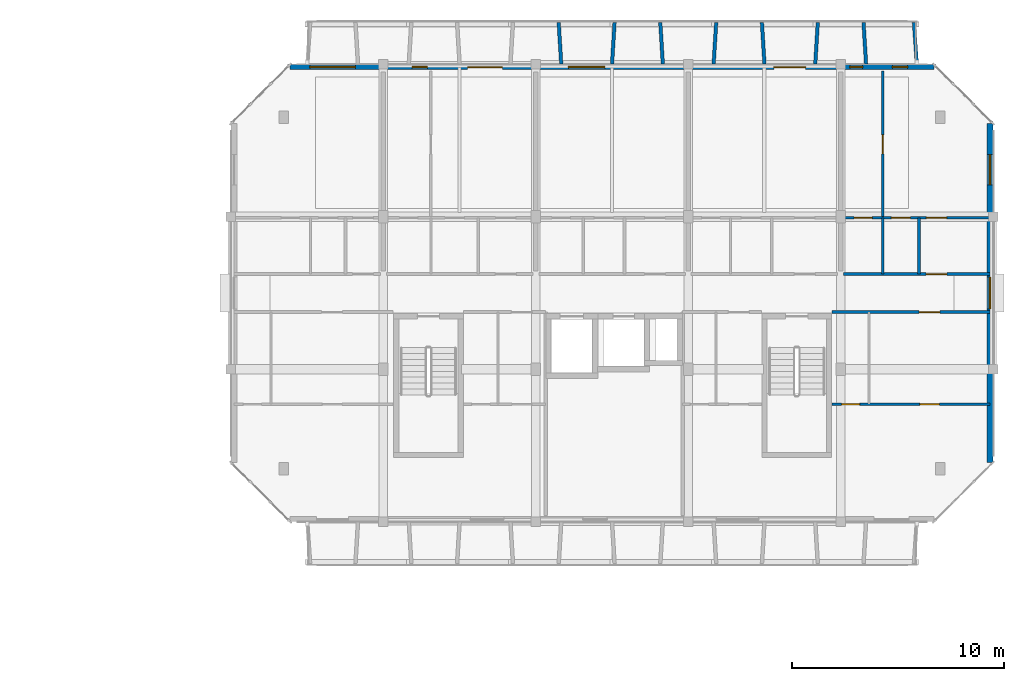
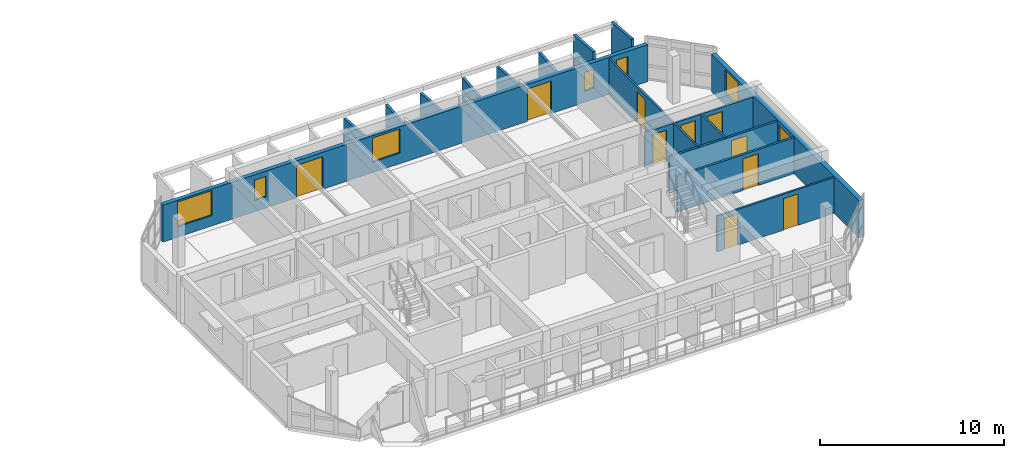
# One storey, part 22 of 31: 17 walls, 10 doors, 7 windows, 17 openings.
"""IFC4 building model written with IfcOpenShell, lengths in metres."""

from ifc_helpers import new_model, si_unit, direction, frame, frame_2d, origin, place, context, subcontext, project, spatial, rectangle, extrude, material, layer, layer_set, type_object, element, fill, save


model = new_model("IFC4")

# Units and contexts
model_context = context("Model", 3, precision=1e-05, world=origin(), true_north=direction((0.0, 1.0)))
body_context = subcontext(model_context, "Body", "Model", "MODEL_VIEW")
ifc_project = project(units=[si_unit("LENGTHUNIT", "METRE"), si_unit("AREAUNIT", "SQUARE_METRE"), si_unit("VOLUMEUNIT", "CUBIC_METRE"), si_unit("PLANEANGLEUNIT", "RADIAN"), si_unit("MASSUNIT", "GRAM", prefix="KILO")], contexts=[model_context])

# Site, building, storey
site_placement = place(None, origin())
site = spatial("IfcSite", under=ifc_project, at=site_placement, CompositionType="ELEMENT")
building_placement = place(site_placement, origin())
building = spatial("IfcBuilding", under=site, at=building_placement, Name="Ochrevale Crest", CompositionType="ELEMENT")
storey_placement = place(building_placement, frame((0.0, 0.0, 37.050048828125)))
storey = spatial("IfcBuildingStorey", under=building, at=storey_placement, Name="L11", CompositionType="ELEMENT", Elevation=37.050048828125)

# Wall, opening, door
ifc_material_1 = material(Name="Gypsum plasterboard", Category="gypsum")
ifc_layer_1 = layer(ifc_material_1, 0.139892578125)
ifc_layer_set_1 = layer_set([ifc_layer_1], Name="Gypsum plasterboard")
wall_type_1 = type_object("IfcWallType", Name="WL-COR-140", PredefinedType="PARTITIONING", material=ifc_layer_set_1)
wall_1_placement = place(storey_placement, frame((158.5400390625, 83.699951171875, 0.0), z_axis=(0.0, 0.0, 1.0), x_axis=(1.0, 0.0, 0.0)))
wall_1 = element("IfcWall", 1, at=wall_1_placement, inside=storey, type_object=wall_type_1, Name="Apartment D-L11-U5 corridor wall", PredefinedType="PARTITIONING", context=body_context, shape_type="SweptSolid", body=[
    extrude(rectangle(XDim=6.919921875, YDim=0.139892578125, at=frame_2d((3.4599609375, 0.0))), origin(), (0.0, 0.0, 1.0), 2.3798828125),
])
opening_1_placement = place(wall_1_placement, frame((4.875, 0.0, 0.0), z_axis=(0.0, 0.0, 1.0), x_axis=(-1.0, 0.0, 0.0)))
opening_1 = element("IfcOpeningElement", 2, at=opening_1_placement, cuts=wall_1, Name="Opening FD01", PredefinedType="OPENING", context=body_context, shape_type="SweptSolid", body=[
    extrude(rectangle(XDim=0.97998046875, YDim=2.10009765625, at=frame_2d((0.489990234375, 1.050048828125))), frame((0.0, 0.080078125, 0.0), z_axis=(0.0, -1.0, 0.0), x_axis=(1.0, 0.0, 0.0)), (0.0, 0.0, 1.0), 0.159912109375),
])
ifc_material_2 = material(Name="Solid-core FSC hardwood", Category="wood")
door_type_1 = type_object("IfcDoorType", Name="DR-APT-950", OperationType="NOTDEFINED", PredefinedType="DOOR", material=ifc_material_2)
door_1_placement = place(opening_1_placement, origin())
door_1 = element("IfcDoor", 3, at=door_1_placement, inside=storey, type_object=door_type_1, Name="Apartment D-L11-U5 entrance door", OperationType="SINGLE_SWING_RIGHT", OverallHeight=2.10009765625, OverallWidth=0.97998046875, PredefinedType="DOOR", context=body_context, shape_type="SweptSolid", body=[
    extrude(rectangle(XDim=0.97998046875, YDim=2.10009765625, at=frame_2d((0.489990234375, 1.050048828125))), frame((0.0, 0.02490234375, 0.0), z_axis=(0.0, -1.0, 0.0), x_axis=(1.0, 0.0, 0.0)), (0.0, 0.0, 1.0), 0.050048828125),
])
fill(opening_1, door_1)

wall_2_placement = place(storey_placement, frame((157.989990234375, 81.89990234375, 0.0), z_axis=(0.0, 0.0, 1.0), x_axis=(1.0, 0.0, 0.0)))
wall_2 = element("IfcWall", 4, at=wall_2_placement, inside=storey, type_object=wall_type_1, Name="Suite D-L11-CE corridor wall", PredefinedType="PARTITIONING", context=body_context, shape_type="SweptSolid", body=[
    extrude(rectangle(XDim=7.469970703125, YDim=0.139892578125, at=frame_2d((3.73486328125, 0.0))), origin(), (0.0, 0.0, 1.0), 2.3798828125),
])
opening_2_placement = place(wall_2_placement, frame((5.10009765625, 0.0, 0.0), z_axis=(0.0, 0.0, 1.0), x_axis=(-1.0, 0.0, 0.0)))
opening_2 = element("IfcOpeningElement", 5, at=opening_2_placement, cuts=wall_2, Name="Opening FD01", PredefinedType="OPENING", context=body_context, shape_type="SweptSolid", body=[
    extrude(rectangle(XDim=0.97998046875, YDim=2.10009765625, at=frame_2d((0.489990234375, 1.050048828125))), frame((0.0, 0.080078125, 0.0), z_axis=(0.0, -1.0, 0.0), x_axis=(1.0, 0.0, 0.0)), (0.0, 0.0, 1.0), 0.159912109375),
])
door_2_placement = place(opening_2_placement, origin())
door_2 = element("IfcDoor", 6, at=door_2_placement, inside=storey, type_object=door_type_1, Name="Suite D-L11-CE entrance door", OperationType="SINGLE_SWING_RIGHT", OverallHeight=2.10009765625, OverallWidth=0.97998046875, PredefinedType="DOOR", context=body_context, shape_type="SweptSolid", body=[
    extrude(rectangle(XDim=0.97998046875, YDim=2.10009765625, at=frame_2d((0.489990234375, 1.050048828125))), frame((0.0, 0.02490234375, 0.0), z_axis=(0.0, -1.0, 0.0), x_axis=(1.0, 0.0, 0.0)), (0.0, 0.0, 1.0), 0.050048828125),
])
fill(opening_2, door_2)

# Wall, openings, windows
ifc_material_3 = material(Name="Clay face brickwork", Category="masonry")
ifc_layer_2 = layer(ifc_material_3, 0.2900390625)
ifc_layer_set_2 = layer_set([ifc_layer_2], Name="Clay face brickwork")
wall_type_2 = type_object("IfcWallType", Name="WL-EXT-BRICK-290", PredefinedType="SOLIDWALL", material=ifc_layer_set_2)
wall_3_placement = place(storey_placement, frame((165.455078125, 74.800048828125, 0.0), z_axis=(0.0, 0.0, 1.0), x_axis=(0.0, 1.0, 0.0)))
wall_3 = element("IfcWall", 7, at=wall_3_placement, inside=storey, type_object=wall_type_2, Name="Block D L11 external facade wall E3", PredefinedType="SOLIDWALL", context=body_context, shape_type="SweptSolid", body=[
    extrude(rectangle(XDim=16.0, YDim=0.2900390625, at=frame_2d((8.0, 0.0))), origin(), (0.0, 0.0, 1.0), 2.47998046875),
])
opening_3_placement = place(wall_3_placement, frame((7.25, 0.0, 1.050048828125)))
opening_3 = element("IfcOpeningElement", 8, at=opening_3_placement, cuts=wall_3, Name="Opening W18", PredefinedType="OPENING", context=body_context, shape_type="SweptSolid", body=[
    extrude(rectangle(XDim=1.5, YDim=1.14990234375, at=frame_2d((0.75, 0.574951171875))), frame((0.0, 0.155029296875, 0.0), z_axis=(0.0, -1.0, 0.0), x_axis=(1.0, 0.0, 0.0)), (0.0, 0.0, 1.0), 0.31005859375),
])
opening_4_placement = place(wall_3_placement, frame((13.117431640625, 0.0, 0.75)))
opening_4 = element("IfcOpeningElement", 9, at=opening_4_placement, cuts=wall_3, Name="Opening W31", PredefinedType="OPENING", context=body_context, shape_type="SweptSolid", body=[
    extrude(rectangle(XDim=1.419921875, YDim=1.60009765625, at=frame_2d((0.7099609375, 0.800048828125))), frame((0.0, 0.155029296875, 0.0), z_axis=(0.0, -1.0, 0.0), x_axis=(1.0, 0.0, 0.0)), (0.0, 0.0, 1.0), 0.31005859375),
])
ifc_material_4 = material(Name="Anodised aluminium 6063-T5 and low-E double glazing", Category="aluminium")
window_type_1 = type_object("IfcWindowType", Name="WIN-W18", PartitioningType="SINGLE_PANEL", PredefinedType="WINDOW", material=ifc_material_4)
window_1_placement = place(opening_3_placement, origin())
window_1 = element("IfcWindow", 10, at=window_1_placement, inside=storey, type_object=window_type_1, Name="Block D L11 corridor end daylight window E", OverallHeight=1.14990234375, OverallWidth=1.5, PartitioningType="SINGLE_PANEL", PredefinedType="WINDOW", context=body_context, shape_type="SweptSolid", body=[
    extrude(rectangle(XDim=1.5, YDim=1.14990234375, at=frame_2d((0.75, 0.574951171875))), frame((0.0, 0.030029296875, 0.0), z_axis=(0.0, -1.0, 0.0), x_axis=(1.0, 0.0, 0.0)), (0.0, 0.0, 1.0), 0.06005859375),
])
fill(opening_3, window_1)
window_type_2 = type_object("IfcWindowType", Name="WIN-W31", PartitioningType="SINGLE_PANEL", PredefinedType="WINDOW", material=ifc_material_4)
window_2_placement = place(opening_4_placement, origin())
window_2 = element("IfcWindow", 11, at=window_2_placement, inside=storey, type_object=window_type_2, Name="Block D L11 side suite window E", OverallHeight=1.60009765625, OverallWidth=1.419921875, PartitioningType="SINGLE_PANEL", PredefinedType="WINDOW", context=body_context, shape_type="SweptSolid", body=[
    extrude(rectangle(XDim=1.419921875, YDim=1.60009765625, at=frame_2d((0.7099609375, 0.800048828125))), frame((0.0, 0.030029296875, 0.0), z_axis=(0.0, -1.0, 0.0), x_axis=(1.0, 0.0, 0.0)), (0.0, 0.0, 1.0), 0.06005859375),
])
fill(opening_4, window_2)

# Wall, openings, doors, windows
ifc_material_5 = material(Name="Precast concrete C40/50", Category="concrete")
ifc_layer_3 = layer(ifc_material_5, 0.25)
ifc_layer_set_3 = layer_set([ifc_layer_3], Name="Precast concrete C40/50")
wall_type_3 = type_object("IfcWallType", Name="WL-EXT-GOLD-250", PredefinedType="SOLIDWALL", material=ifc_layer_set_3)
wall_4_placement = place(storey_placement, frame((162.800048828125, 93.47509765625, 0.0), z_axis=(0.0, 0.0, 1.0), x_axis=(-1.0, 0.0, 0.0)))
wall_4 = element("IfcWall", 12, at=wall_4_placement, inside=storey, type_object=wall_type_3, Name="Block D L11 external facade wall E5", PredefinedType="SOLIDWALL", context=body_context, shape_type="SweptSolid", body=[
    extrude(rectangle(XDim=30.400146484375, YDim=0.25, at=frame_2d((15.2001953125, 0.0))), origin(), (0.0, 0.0, 1.0), 2.449951171875),
])
opening_5_placement = place(wall_4_placement, frame((22.02490234375, 0.0, 0.0), z_axis=(0.0, 0.0, 1.0), x_axis=(-1.0, 0.0, 0.0)))
opening_5 = element("IfcOpeningElement", 13, at=opening_5_placement, cuts=wall_4, Name="Opening BD02", PredefinedType="OPENING", context=body_context, shape_type="SweptSolid", body=[
    extrude(rectangle(XDim=1.64990234375, YDim=2.14990234375, at=frame_2d((0.824951171875, 1.074951171875))), frame((0.0, 0.135009765625, 0.0), z_axis=(0.0, -1.0, 0.0), x_axis=(1.0, 0.0, 0.0)), (0.0, 0.0, 1.0), 0.27001953125),
])
opening_6_placement = place(wall_4_placement, frame((7.550048828125, 0.0, 0.0), z_axis=(0.0, 0.0, 1.0), x_axis=(-1.0, 0.0, 0.0)))
opening_6 = element("IfcOpeningElement", 14, at=opening_6_placement, cuts=wall_4, Name="Opening BD01", PredefinedType="OPENING", context=body_context, shape_type="SweptSolid", body=[
    extrude(rectangle(XDim=1.5, YDim=2.14990234375, at=frame_2d((0.75, 1.074951171875))), frame((0.0, 0.135009765625, 0.0), z_axis=(0.0, -1.0, 0.0), x_axis=(1.0, 0.0, 0.0)), (0.0, 0.0, 1.0), 0.27001953125),
])
opening_7_placement = place(wall_4_placement, frame((27.324951171875, 0.0, 0.68994140625)))
opening_7 = element("IfcOpeningElement", 15, at=opening_7_placement, cuts=wall_4, Name="Opening W13", PredefinedType="OPENING", context=body_context, shape_type="SweptSolid", body=[
    extrude(rectangle(XDim=2.14990234375, YDim=1.64990234375, at=frame_2d((1.074951171875, 0.824951171875))), frame((0.0, 0.135009765625, 0.0), z_axis=(0.0, -1.0, 0.0), x_axis=(1.0, 0.0, 0.0)), (0.0, 0.0, 1.0), 0.27001953125),
])
opening_8_placement = place(wall_4_placement, frame((23.925048828125, 0.0, 0.75)))
opening_8 = element("IfcOpeningElement", 16, at=opening_8_placement, cuts=wall_4, Name="Opening W02", PredefinedType="OPENING", context=body_context, shape_type="SweptSolid", body=[
    extrude(rectangle(XDim=0.719970703125, YDim=1.35009765625, at=frame_2d((0.35986328125, 0.675048828125))), frame((0.0, 0.135009765625, 0.0), z_axis=(0.0, -1.0, 0.0), x_axis=(1.0, 0.0, 0.0)), (0.0, 0.0, 1.0), 0.27001953125),
])
opening_9_placement = place(wall_4_placement, frame((15.5400390625, 0.0, 0.699951171875)))
opening_9 = element("IfcOpeningElement", 17, at=opening_9_placement, cuts=wall_4, Name="Opening W10", PredefinedType="OPENING", context=body_context, shape_type="SweptSolid", body=[
    extrude(rectangle(XDim=1.719970703125, YDim=1.60009765625, at=frame_2d((0.85986328125, 0.800048828125))), frame((0.0, 0.135009765625, 0.0), z_axis=(0.0, -1.0, 0.0), x_axis=(1.0, 0.0, 0.0)), (0.0, 0.0, 1.0), 0.27001953125),
])
opening_10_placement = place(wall_4_placement, frame((3.367431640625, 0.0, 0.75)))
opening_10 = element("IfcOpeningElement", 18, at=opening_10_placement, cuts=wall_4, Name="Opening W01", PredefinedType="OPENING", context=body_context, shape_type="SweptSolid", body=[
    extrude(rectangle(XDim=0.60009765625, YDim=1.25, at=frame_2d((0.300048828125, 0.625))), frame((0.0, 0.135009765625, 0.0), z_axis=(0.0, -1.0, 0.0), x_axis=(1.0, 0.0, 0.0)), (0.0, 0.0, 1.0), 0.27001953125),
])
opening_11_placement = place(wall_4_placement, frame((1.239990234375, 0.0, 0.75)))
opening_11 = element("IfcOpeningElement", 19, at=opening_11_placement, cuts=wall_4, Name="Opening W02", PredefinedType="OPENING", context=body_context, shape_type="SweptSolid", body=[
    extrude(rectangle(XDim=0.719970703125, YDim=1.35009765625, at=frame_2d((0.35986328125, 0.675048828125))), frame((0.0, 0.135009765625, 0.0), z_axis=(0.0, -1.0, 0.0), x_axis=(1.0, 0.0, 0.0)), (0.0, 0.0, 1.0), 0.27001953125),
])
ifc_material_6 = material(Name="Anodised aluminium 6063-T5 and toughened glass", Category="aluminium")
door_type_2 = type_object("IfcDoorType", Name="DR-BAL-1500", OperationType="NOTDEFINED", PredefinedType="DOOR", material=ifc_material_6)
door_3_placement = place(opening_6_placement, origin())
door_3 = element("IfcDoor", 20, at=door_3_placement, inside=storey, type_object=door_type_2, Name="Block D L11 balcony door N4", OperationType="SINGLE_SWING_RIGHT", OverallHeight=2.14990234375, OverallWidth=1.5, PredefinedType="DOOR", context=body_context, shape_type="SweptSolid", body=[
    extrude(rectangle(XDim=1.5, YDim=2.14990234375, at=frame_2d((0.75, 1.074951171875))), frame((0.0, 0.02490234375, 0.0), z_axis=(0.0, -1.0, 0.0), x_axis=(1.0, 0.0, 0.0)), (0.0, 0.0, 1.0), 0.050048828125),
])
fill(opening_6, door_3)
door_type_3 = type_object("IfcDoorType", Name="DR-BAL-1650", OperationType="NOTDEFINED", PredefinedType="DOOR", material=ifc_material_6)
door_4_placement = place(opening_5_placement, origin())
door_4 = element("IfcDoor", 21, at=door_4_placement, inside=storey, type_object=door_type_3, Name="Block D L11 balcony door N2", OperationType="SINGLE_SWING_LEFT", OverallHeight=2.14990234375, OverallWidth=1.64990234375, PredefinedType="DOOR", context=body_context, shape_type="SweptSolid", body=[
    extrude(rectangle(XDim=1.64990234375, YDim=2.14990234375, at=frame_2d((0.824951171875, 1.074951171875))), frame((0.0, 0.02490234375, 0.0), z_axis=(0.0, -1.0, 0.0), x_axis=(1.0, 0.0, 0.0)), (0.0, 0.0, 1.0), 0.050048828125),
])
fill(opening_5, door_4)
window_type_3 = type_object("IfcWindowType", Name="WIN-W01", PartitioningType="SINGLE_PANEL", PredefinedType="WINDOW", material=ifc_material_4)
window_3_placement = place(opening_10_placement, origin())
window_3 = element("IfcWindow", 22, at=window_3_placement, inside=storey, type_object=window_type_3, Name="Block D L11 Apartment D-L11-U5 Double Bedroom window", OverallHeight=1.25, OverallWidth=0.60009765625, PartitioningType="SINGLE_PANEL", PredefinedType="WINDOW", context=body_context, shape_type="SweptSolid", body=[
    extrude(rectangle(XDim=0.60009765625, YDim=1.25, at=frame_2d((0.300048828125, 0.625))), frame((0.0, 0.030029296875, 0.0), z_axis=(0.0, -1.0, 0.0), x_axis=(1.0, 0.0, 0.0)), (0.0, 0.0, 1.0), 0.06005859375),
])
fill(opening_10, window_3)
window_type_4 = type_object("IfcWindowType", Name="WIN-W02", PartitioningType="SINGLE_PANEL", PredefinedType="WINDOW", material=ifc_material_4)
window_4_placement = place(opening_8_placement, origin())
window_4 = element("IfcWindow", 23, at=window_4_placement, inside=storey, type_object=window_type_4, Name="Block D L11 Apartment D-L11-U2 Master Bedroom window", OverallHeight=1.35009765625, OverallWidth=0.719970703125, PartitioningType="SINGLE_PANEL", PredefinedType="WINDOW", context=body_context, shape_type="SweptSolid", body=[
    extrude(rectangle(XDim=0.719970703125, YDim=1.35009765625, at=frame_2d((0.35986328125, 0.675048828125))), frame((0.0, 0.030029296875, 0.0), z_axis=(0.0, -1.0, 0.0), x_axis=(1.0, 0.0, 0.0)), (0.0, 0.0, 1.0), 0.06005859375),
])
fill(opening_8, window_4)
window_5_placement = place(opening_11_placement, origin())
window_5 = element("IfcWindow", 24, at=window_5_placement, inside=storey, type_object=window_type_4, Name="Block D L11 Apartment D-L11-U5 Two Bedroom Living Room window", OverallHeight=1.35009765625, OverallWidth=0.719970703125, PartitioningType="SINGLE_PANEL", PredefinedType="WINDOW", context=body_context, shape_type="SweptSolid", body=[
    extrude(rectangle(XDim=0.719970703125, YDim=1.35009765625, at=frame_2d((0.35986328125, 0.675048828125))), frame((0.0, 0.030029296875, 0.0), z_axis=(0.0, -1.0, 0.0), x_axis=(1.0, 0.0, 0.0)), (0.0, 0.0, 1.0), 0.06005859375),
])
fill(opening_11, window_5)
window_type_5 = type_object("IfcWindowType", Name="WIN-W10", PartitioningType="SINGLE_PANEL", PredefinedType="WINDOW", material=ifc_material_4)
window_6_placement = place(opening_9_placement, origin())
window_6 = element("IfcWindow", 25, at=window_6_placement, inside=storey, type_object=window_type_5, Name="Block D L11 Studio D-L11-U3 Living Room window", OverallHeight=1.60009765625, OverallWidth=1.719970703125, PartitioningType="SINGLE_PANEL", PredefinedType="WINDOW", context=body_context, shape_type="SweptSolid", body=[
    extrude(rectangle(XDim=1.719970703125, YDim=1.60009765625, at=frame_2d((0.85986328125, 0.800048828125))), frame((0.0, 0.030029296875, 0.0), z_axis=(0.0, -1.0, 0.0), x_axis=(1.0, 0.0, 0.0)), (0.0, 0.0, 1.0), 0.06005859375),
])
fill(opening_9, window_6)
window_type_6 = type_object("IfcWindowType", Name="WIN-W13", PartitioningType="SINGLE_PANEL", PredefinedType="WINDOW", material=ifc_material_4)
window_7_placement = place(opening_7_placement, origin())
window_7 = element("IfcWindow", 26, at=window_7_placement, inside=storey, type_object=window_type_6, Name="Block D L11 Studio D-L11-U1 Living Room window", OverallHeight=1.64990234375, OverallWidth=2.14990234375, PartitioningType="SINGLE_PANEL", PredefinedType="WINDOW", context=body_context, shape_type="SweptSolid", body=[
    extrude(rectangle(XDim=2.14990234375, YDim=1.64990234375, at=frame_2d((1.074951171875, 0.824951171875))), frame((0.0, 0.030029296875, 0.0), z_axis=(0.0, -1.0, 0.0), x_axis=(1.0, 0.0, 0.0)), (0.0, 0.0, 1.0), 0.06005859375),
])
fill(opening_7, window_7)

# Walls
ifc_layer_4 = layer(ifc_material_5, 0.1650390625)
ifc_layer_set_4 = layer_set([ifc_layer_4], Name="Precast concrete C40/50")
wall_type_4 = type_object("IfcWallType", Name="WL-HC-CHEEK-165", PredefinedType="ELEMENTEDWALL", material=ifc_layer_set_4)
for number, where, z_axis, x_axis, name in (
    (27, (145.199951171875, 93.6201171875, 0.0), (0.0, 0.0, 1.0), (-0.061046865508, 0.998134900808, 0.0), "Block D L11 N precast honeycomb cheek 6"),
    (28, (147.60009765625, 93.6201171875, 0.0), (0.0, 0.0, 1.0), (0.061046865508, 0.998134900808, 0.0), "Block D L11 N precast honeycomb cheek 7"),
    (29, (150.0, 93.6201171875, 0.0), (0.0, 0.0, 1.0), (-0.061170732449, 0.998127317276, 0.0), "Block D L11 N precast honeycomb cheek 8"),
):
    element("IfcWall", number, at=place(storey_placement, frame(where, z_axis=z_axis, x_axis=x_axis)), inside=storey, type_object=wall_type_4, Name=name, PredefinedType="ELEMENTEDWALL", context=body_context, shape_type="SweptSolid", body=[
        extrude(rectangle(XDim=1.963623046875, YDim=0.1650390625, at=frame_2d((0.98193359375, 0.0))), origin(), (0.0, 0.0, 1.0), 2.449951171875),
    ])
for number, where, z_axis, x_axis, name in (
    (30, (152.39990234375, 93.6201171875, 0.0), (0.0, 0.0, 1.0), (0.061170732449, 0.998127317276, 0.0), "Block D L11 N precast honeycomb cheek 9"),
    (31, (154.800048828125, 93.6201171875, 0.0), (0.0, 0.0, 1.0), (-0.061170732449, 0.998127317276, 0.0), "Block D L11 N precast honeycomb cheek 10"),
    (32, (157.199951171875, 93.6201171875, 0.0), (0.0, 0.0, 1.0), (0.061170732449, 0.998127317276, 0.0), "Block D L11 N precast honeycomb cheek 11"),
):
    element("IfcWall", number, at=place(storey_placement, frame(where, z_axis=z_axis, x_axis=x_axis)), inside=storey, type_object=wall_type_4, Name=name, PredefinedType="ELEMENTEDWALL", context=body_context, shape_type="SweptSolid", body=[
        extrude(rectangle(XDim=1.963623046875, YDim=0.1650390625, at=frame_2d((0.98193359375, 0.0))), origin(), (0.0, 0.0, 1.0), 2.530029296875),
    ])
wall_5_placement = place(storey_placement, frame((159.60009765625, 93.6201171875, 0.0), z_axis=(0.0, 0.0, 1.0), x_axis=(-0.061170732449, 0.998127317276, 0.0)))
element("IfcWall", 33, at=wall_5_placement, inside=storey, type_object=wall_type_4, Name="Block D L11 N precast honeycomb cheek 12", PredefinedType="ELEMENTEDWALL", context=body_context, shape_type="SweptSolid", body=[
    extrude(rectangle(XDim=1.963623046875, YDim=0.1650390625, at=frame_2d((0.98193359375, 0.0))), origin(), (0.0, 0.0, 1.0), 2.949951171875),
])
wall_6_placement = place(storey_placement, frame((162.0, 93.6201171875, 0.0), z_axis=(0.0, 0.0, 1.0), x_axis=(-0.071194071069, 0.997462482625, 0.0)))
element("IfcWall", 34, at=wall_6_placement, inside=storey, type_object=wall_type_4, Name="Block D L11 N precast honeycomb cheek 13", PredefinedType="ELEMENTEDWALL", context=body_context, shape_type="SweptSolid", body=[
    extrude(rectangle(XDim=1.96484375, YDim=0.1650390625, at=frame_2d((0.982421875, 0.0))), origin(), (0.0, 0.0, 1.0), 2.949951171875),
])
ifc_layer_5 = layer(ifc_material_1, 0.1201171875)
ifc_layer_set_5 = layer_set([ifc_layer_5], Name="Gypsum plasterboard")
wall_type_5 = type_object("IfcWallType", Name="WL-PART-120", PredefinedType="PARTITIONING", material=ifc_layer_set_5)
wall_7_placement = place(storey_placement, frame((162.10009765625, 83.699951171875, 0.0), z_axis=(0.0, 0.0, 1.0), x_axis=(0.0, 1.0, 0.0)))
element("IfcWall", 35, at=wall_7_placement, inside=storey, type_object=wall_type_5, Name="Apartment D-L11-U5 kitchen-foyer wall", PredefinedType="PARTITIONING", context=body_context, shape_type="SweptSolid", body=[
    extrude(rectangle(XDim=2.650146484375, YDim=0.1201171875, at=frame_2d((1.3251953125, 0.0))), origin(), (0.0, 0.0, 1.0), 2.3798828125),
])

# Wall, openings, doors
wall_8_placement = place(storey_placement, frame((158.5400390625, 86.35009765625, 0.0), z_axis=(0.0, 0.0, 1.0), x_axis=(1.0, 0.0, 0.0)))
wall_8 = element("IfcWall", 36, at=wall_8_placement, inside=storey, type_object=wall_type_5, Name="Apartment D-L11-U5 central partition", PredefinedType="PARTITIONING", context=body_context, shape_type="SweptSolid", body=[
    extrude(rectangle(XDim=6.919921875, YDim=0.1201171875, at=frame_2d((3.4599609375, 0.0))), origin(), (0.0, 0.0, 1.0), 2.3798828125),
])
opening_12_placement = place(wall_8_placement, frame((0.5, 0.0, 0.0)))
opening_12 = element("IfcOpeningElement", 37, at=opening_12_placement, cuts=wall_8, Name="Opening ID01", PredefinedType="OPENING", context=body_context, shape_type="SweptSolid", body=[
    extrude(rectangle(XDim=0.85009765625, YDim=2.080078125, at=frame_2d((0.425048828125, 1.0400390625))), frame((0.0, 0.070068359375, 0.0), z_axis=(0.0, -1.0, 0.0), x_axis=(1.0, 0.0, 0.0)), (0.0, 0.0, 1.0), 0.14013671875),
])
opening_13_placement = place(wall_8_placement, frame((3.15478515625, 0.0, 0.0), z_axis=(0.0, 0.0, 1.0), x_axis=(-1.0, 0.0, 0.0)))
opening_13 = element("IfcOpeningElement", 38, at=opening_13_placement, cuts=wall_8, Name="Opening ID02", PredefinedType="OPENING", context=body_context, shape_type="SweptSolid", body=[
    extrude(rectangle(XDim=0.89990234375, YDim=2.080078125, at=frame_2d((0.449951171875, 1.0400390625))), frame((0.0, 0.070068359375, 0.0), z_axis=(0.0, -1.0, 0.0), x_axis=(1.0, 0.0, 0.0)), (0.0, 0.0, 1.0), 0.14013671875),
])
opening_14_placement = place(wall_8_placement, frame((3.909912109375, 0.0, 0.0)))
opening_14 = element("IfcOpeningElement", 39, at=opening_14_placement, cuts=wall_8, Name="Opening ID06", PredefinedType="OPENING", context=body_context, shape_type="SweptSolid", body=[
    extrude(rectangle(XDim=0.949951171875, YDim=2.080078125, at=frame_2d((0.47509765625, 1.0400390625))), frame((0.0, 0.070068359375, 0.0), z_axis=(0.0, -1.0, 0.0), x_axis=(1.0, 0.0, 0.0)), (0.0, 0.0, 1.0), 0.14013671875),
])
door_type_4 = type_object("IfcDoorType", Name="DR-INT-900", OperationType="NOTDEFINED", PredefinedType="DOOR", material=ifc_material_2)
door_5_placement = place(opening_13_placement, origin())
door_5 = element("IfcDoor", 40, at=door_5_placement, inside=storey, type_object=door_type_4, Name="Apartment D-L11-U5 Kitchen door", OperationType="SINGLE_SWING_RIGHT", OverallHeight=2.080078125, OverallWidth=0.89990234375, PredefinedType="DOOR", context=body_context, shape_type="SweptSolid", body=[
    extrude(rectangle(XDim=0.89990234375, YDim=2.080078125, at=frame_2d((0.449951171875, 1.0400390625))), frame((0.0, 0.02490234375, 0.0), z_axis=(0.0, -1.0, 0.0), x_axis=(1.0, 0.0, 0.0)), (0.0, 0.0, 1.0), 0.050048828125),
])
fill(opening_13, door_5)
door_type_5 = type_object("IfcDoorType", Name="DR-INT-950", OperationType="NOTDEFINED", PredefinedType="DOOR", material=ifc_material_2)
door_6_placement = place(opening_14_placement, origin())
door_6 = element("IfcDoor", 41, at=door_6_placement, inside=storey, type_object=door_type_5, Name="Apartment D-L11-U5 Living Foyer door", OperationType="SINGLE_SWING_LEFT", OverallHeight=2.080078125, OverallWidth=0.949951171875, PredefinedType="DOOR", context=body_context, shape_type="SweptSolid", body=[
    extrude(rectangle(XDim=0.949951171875, YDim=2.080078125, at=frame_2d((0.47509765625, 1.0400390625))), frame((0.0, 0.02490234375, 0.0), z_axis=(0.0, -1.0, 0.0), x_axis=(1.0, 0.0, 0.0)), (0.0, 0.0, 1.0), 0.050048828125),
])
fill(opening_14, door_6)
door_type_6 = type_object("IfcDoorType", Name="DR-WC-850", OperationType="NOTDEFINED", PredefinedType="DOOR", material=ifc_material_2)
door_7_placement = place(opening_12_placement, origin())
door_7 = element("IfcDoor", 42, at=door_7_placement, inside=storey, type_object=door_type_6, Name="Apartment D-L11-U5 Bathroom door", OperationType="SINGLE_SWING_LEFT", OverallHeight=2.080078125, OverallWidth=0.85009765625, PredefinedType="DOOR", context=body_context, shape_type="SweptSolid", body=[
    extrude(rectangle(XDim=0.85009765625, YDim=2.080078125, at=frame_2d((0.425048828125, 1.0400390625))), frame((0.0, 0.02490234375, 0.0), z_axis=(0.0, -1.0, 0.0), x_axis=(1.0, 0.0, 0.0)), (0.0, 0.0, 1.0), 0.050048828125),
])
fill(opening_12, door_7)

# Wall, opening, door
wall_9_placement = place(storey_placement, frame((160.389892578125, 86.35009765625, 0.0), z_axis=(0.0, 0.0, 1.0), x_axis=(0.0, 1.0, 0.0)))
wall_9 = element("IfcWall", 43, at=wall_9_placement, inside=storey, type_object=wall_type_5, Name="Apartment D-L11-U5 bedroom partition", PredefinedType="PARTITIONING", context=body_context, shape_type="SweptSolid", body=[
    extrude(rectangle(XDim=6.949951171875, YDim=0.1201171875, at=frame_2d((3.47509765625, 0.0))), origin(), (0.0, 0.0, 1.0), 2.3798828125),
])
opening_15_placement = place(wall_9_placement, frame((3.9248046875, 0.0, 0.0), z_axis=(0.0, 0.0, 1.0), x_axis=(-1.0, 0.0, 0.0)))
opening_15 = element("IfcOpeningElement", 44, at=opening_15_placement, cuts=wall_9, Name="Opening ID02", PredefinedType="OPENING", context=body_context, shape_type="SweptSolid", body=[
    extrude(rectangle(XDim=0.89990234375, YDim=2.080078125, at=frame_2d((0.449951171875, 1.0400390625))), frame((0.0, 0.070068359375, 0.0), z_axis=(0.0, -1.0, 0.0), x_axis=(1.0, 0.0, 0.0)), (0.0, 0.0, 1.0), 0.14013671875),
])
door_8_placement = place(opening_15_placement, origin())
door_8 = element("IfcDoor", 45, at=door_8_placement, inside=storey, type_object=door_type_4, Name="Apartment D-L11-U5 Double Bedroom door", OperationType="SINGLE_SWING_RIGHT", OverallHeight=2.080078125, OverallWidth=0.89990234375, PredefinedType="DOOR", context=body_context, shape_type="SweptSolid", body=[
    extrude(rectangle(XDim=0.89990234375, YDim=2.080078125, at=frame_2d((0.449951171875, 1.0400390625))), frame((0.0, 0.02490234375, 0.0), z_axis=(0.0, -1.0, 0.0), x_axis=(1.0, 0.0, 0.0)), (0.0, 0.0, 1.0), 0.050048828125),
])
fill(opening_15, door_8)

# Wall, openings, doors
wall_10_placement = place(storey_placement, frame((157.989990234375, 77.550048828125, 0.0), z_axis=(0.0, 0.0, 1.0), x_axis=(1.0, 0.0, 0.0)))
wall_10 = element("IfcWall", 46, at=wall_10_placement, inside=storey, type_object=wall_type_5, Name="Suite D-L11-CE internal wall", PredefinedType="PARTITIONING", context=body_context, shape_type="SweptSolid", body=[
    extrude(rectangle(XDim=7.469970703125, YDim=0.1201171875, at=frame_2d((3.73486328125, 0.0))), origin(), (0.0, 0.0, 1.0), 2.3798828125),
])
opening_16_placement = place(wall_10_placement, frame((0.449951171875, 0.0, 0.0)))
opening_16 = element("IfcOpeningElement", 47, at=opening_16_placement, cuts=wall_10, Name="Opening ID01", PredefinedType="OPENING", context=body_context, shape_type="SweptSolid", body=[
    extrude(rectangle(XDim=0.85009765625, YDim=2.080078125, at=frame_2d((0.425048828125, 1.0400390625))), frame((0.0, 0.070068359375, 0.0), z_axis=(0.0, -1.0, 0.0), x_axis=(1.0, 0.0, 0.0)), (0.0, 0.0, 1.0), 0.14013671875),
])
opening_17_placement = place(wall_10_placement, frame((5.06982421875, 0.0, 0.0), z_axis=(0.0, 0.0, 1.0), x_axis=(-1.0, 0.0, 0.0)))
opening_17 = element("IfcOpeningElement", 48, at=opening_17_placement, cuts=wall_10, Name="Opening ID04", PredefinedType="OPENING", context=body_context, shape_type="SweptSolid", body=[
    extrude(rectangle(XDim=0.919921875, YDim=2.080078125, at=frame_2d((0.4599609375, 1.0400390625))), frame((0.0, 0.070068359375, 0.0), z_axis=(0.0, -1.0, 0.0), x_axis=(1.0, 0.0, 0.0)), (0.0, 0.0, 1.0), 0.14013671875),
])
door_type_7 = type_object("IfcDoorType", Name="DR-INT-920", OperationType="NOTDEFINED", PredefinedType="DOOR", material=ifc_material_2)
door_9_placement = place(opening_17_placement, origin())
door_9 = element("IfcDoor", 49, at=door_9_placement, inside=storey, type_object=door_type_7, Name="Suite D-L11-CE Master Bedroom door", OperationType="SINGLE_SWING_RIGHT", OverallHeight=2.080078125, OverallWidth=0.919921875, PredefinedType="DOOR", context=body_context, shape_type="SweptSolid", body=[
    extrude(rectangle(XDim=0.919921875, YDim=2.080078125, at=frame_2d((0.4599609375, 1.0400390625))), frame((0.0, 0.02490234375, 0.0), z_axis=(0.0, -1.0, 0.0), x_axis=(1.0, 0.0, 0.0)), (0.0, 0.0, 1.0), 0.050048828125),
])
fill(opening_17, door_9)
door_10_placement = place(opening_16_placement, origin())
door_10 = element("IfcDoor", 50, at=door_10_placement, inside=storey, type_object=door_type_6, Name="Suite D-L11-CE Bathroom door", OperationType="SINGLE_SWING_LEFT", OverallHeight=2.080078125, OverallWidth=0.85009765625, PredefinedType="DOOR", context=body_context, shape_type="SweptSolid", body=[
    extrude(rectangle(XDim=0.85009765625, YDim=2.080078125, at=frame_2d((0.425048828125, 1.0400390625))), frame((0.0, 0.02490234375, 0.0), z_axis=(0.0, -1.0, 0.0), x_axis=(1.0, 0.0, 0.0)), (0.0, 0.0, 1.0), 0.050048828125),
])
fill(opening_16, door_10)

# Wall
ifc_layer_6 = layer(ifc_material_1, 0.10009765625)
ifc_layer_set_6 = layer_set([ifc_layer_6], Name="Gypsum plasterboard")
wall_type_6 = type_object("IfcWallType", Name="WL-WET-100", PredefinedType="PARTITIONING", material=ifc_layer_set_6)
wall_11_placement = place(storey_placement, frame((160.389892578125, 83.699951171875, 0.0), z_axis=(0.0, 0.0, 1.0), x_axis=(0.0, 1.0, 0.0)))
element("IfcWall", 51, at=wall_11_placement, inside=storey, type_object=wall_type_6, Name="Apartment D-L11-U5 bath-kitchen wall", PredefinedType="PARTITIONING", context=body_context, shape_type="SweptSolid", body=[
    extrude(rectangle(XDim=2.650146484375, YDim=0.10009765625, at=frame_2d((1.3251953125, 0.0))), origin(), (0.0, 0.0, 1.0), 2.3798828125),
])

save(model, "model.ifc")
